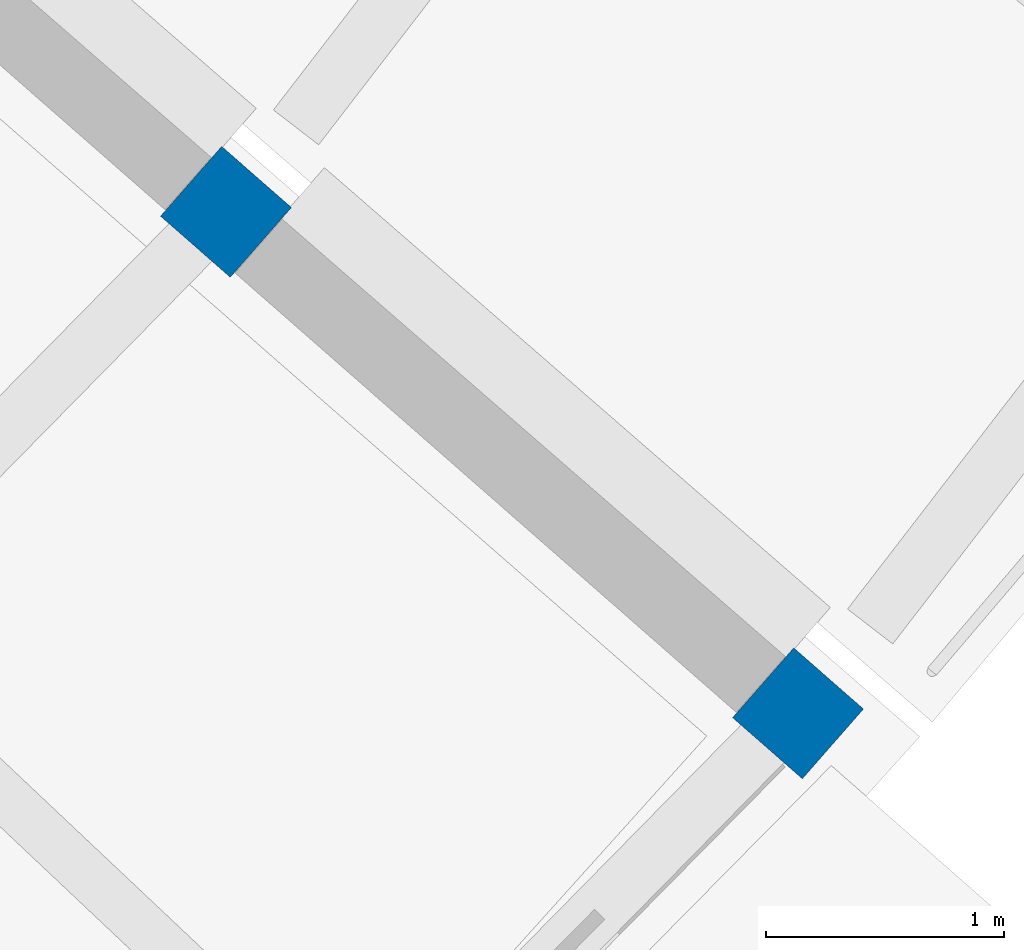
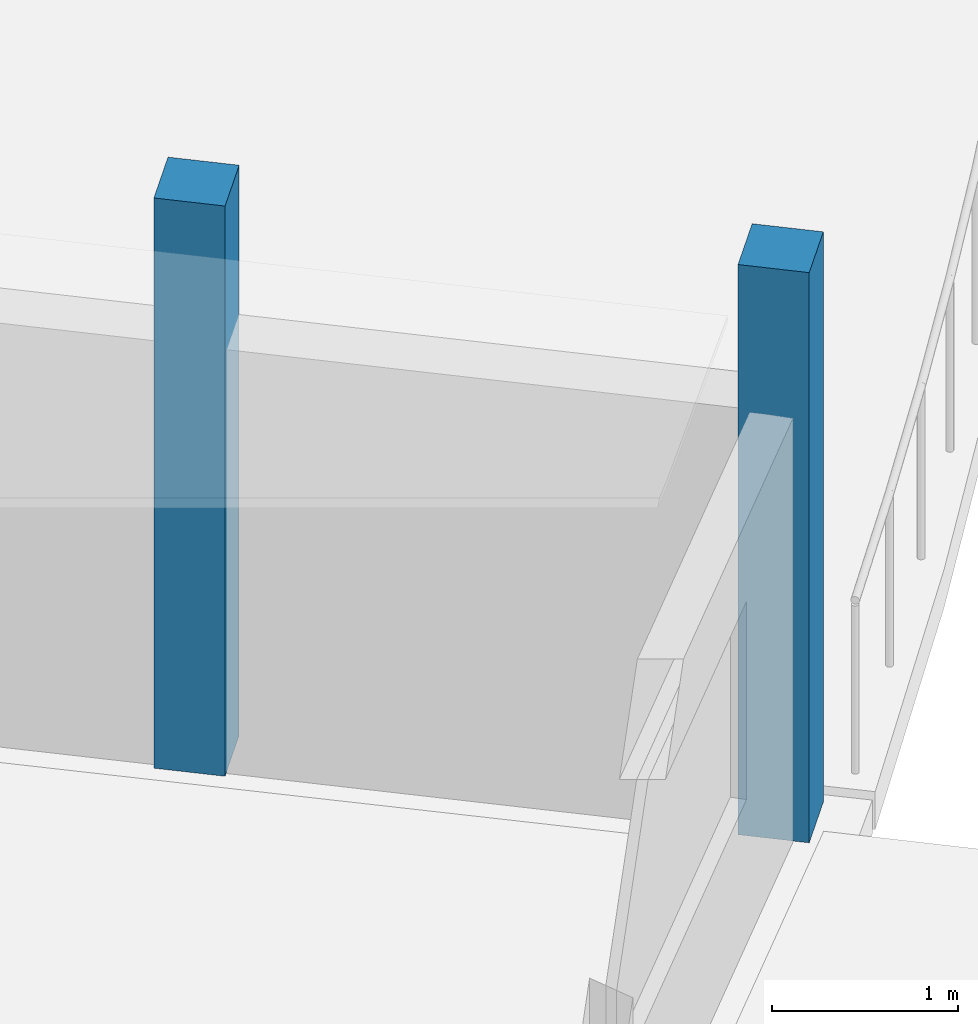
# One storey, part 12 of 66: 2 columns.
"""IFC4 building model written with IfcOpenShell, lengths in metres."""

from ifc_helpers import new_model, si_unit, direction, frame, origin, origin_2d, place, context, subcontext, project, spatial, rectangle, extrude, material, material_profile, profile_set, type_object, element, save


model = new_model("IFC4")

# Units and contexts
model_context = context("Model", 3, precision=1e-05, world=origin(), true_north=direction((0.0, 1.0)))
body_context = subcontext(model_context, "Body", "Model", "MODEL_VIEW")
ifc_project = project(units=[si_unit("LENGTHUNIT", "METRE"), si_unit("AREAUNIT", "SQUARE_METRE"), si_unit("VOLUMEUNIT", "CUBIC_METRE"), si_unit("PLANEANGLEUNIT", "RADIAN"), si_unit("MASSUNIT", "GRAM", prefix="KILO")], contexts=[model_context])

# Site, building, storey
site_placement = place(None, origin())
site = spatial("IfcSite", under=ifc_project, at=site_placement, CompositionType="ELEMENT")
building_placement = place(site_placement, origin())
building = spatial("IfcBuilding", under=site, at=building_placement, Name="Caldaven Crescent School", CompositionType="ELEMENT")
storey_placement = place(building_placement, frame((0.0, 0.0, 8.159912109375)))
storey = spatial("IfcBuildingStorey", under=building, at=storey_placement, Name="L02", CompositionType="ELEMENT", Elevation=8.159912109375)

# Columns
ifc_material = material(Name="Glulam MLE24h (GL28h)", Category="wood")
ifc_material_profile = material_profile(ifc_material, rectangle(XDim=0.389892578125, YDim=0.389892578125, at=origin_2d()), Name="MLE 390x390")
ifc_profile_set = profile_set([ifc_material_profile], Name="Glulam MLE24h (GL28h)")
column_type = type_object("IfcColumnType", Name="COL-GL39", PredefinedType="COLUMN", material=ifc_profile_set)
for number, where, z_axis, x_axis, name in (
    (1, (137.896240234375, 52.265625, 0.0), (0.0, 0.0, 1.0), (0.752069916777, -0.659083333334, 0.0), "COL-V4E-L02-04-3"),
    (2, (140.302490234375, 50.15625, 0.0), (0.0, 0.0, 1.0), (0.752069916777, -0.659083333334, 0.0), "COL-V4E-L02-04-4"),
):
    element("IfcColumn", number, at=place(storey_placement, frame(where, z_axis=z_axis, x_axis=x_axis)), inside=storey, type_object=column_type, Name=name, PredefinedType="COLUMN", context=body_context, shape_type="SweptSolid", body=[
        extrude(rectangle(XDim=0.389892578125, YDim=0.389892578125, at=origin_2d()), origin(), (0.0, 0.0, 1.0), 3.739990234375),
    ])

save(model, "model.ifc")
